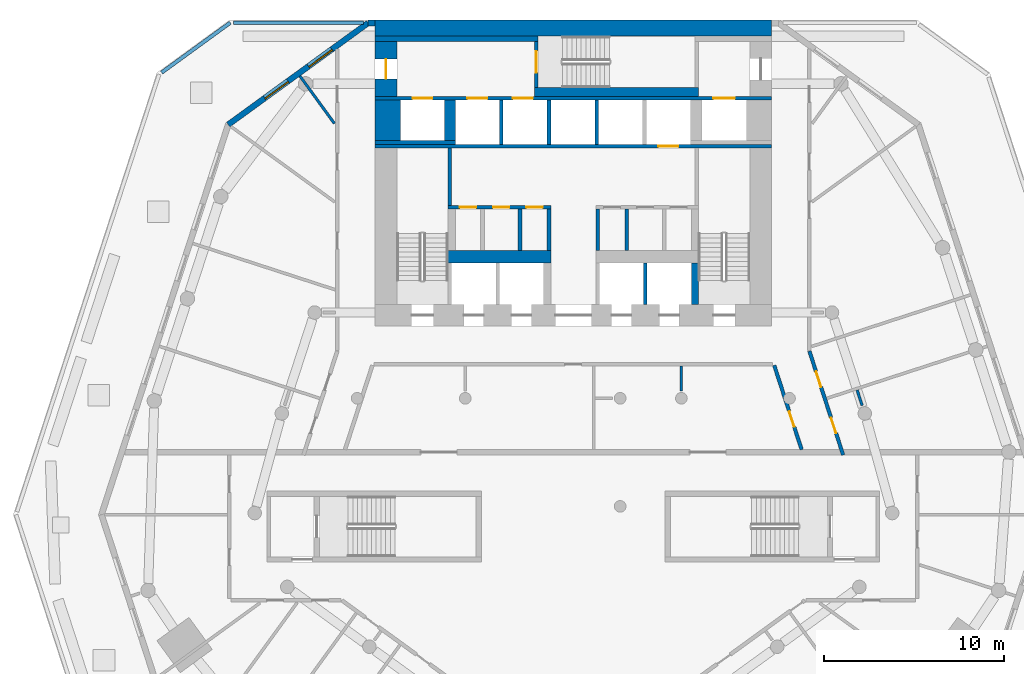
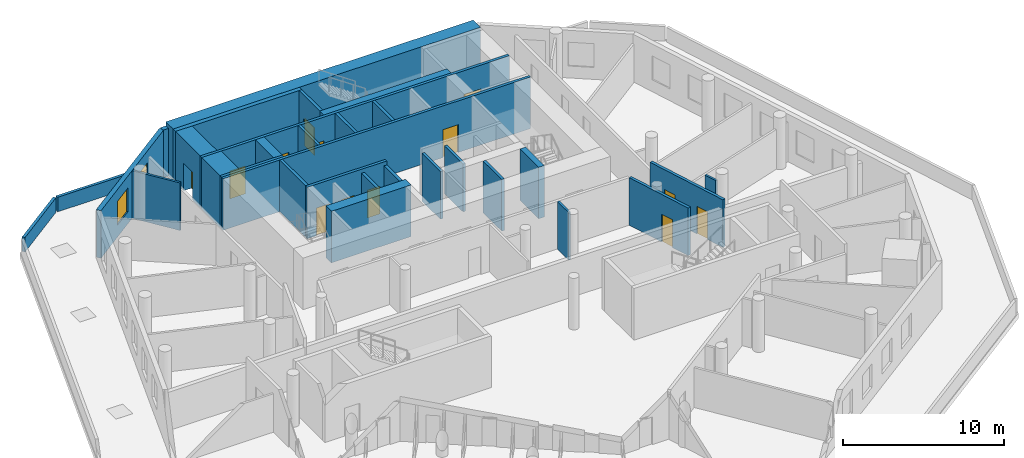
# One storey, part 6 of 10: 31 walls, 13 doors, 2 windows, 15 openings.
"""IFC4 building model written with IfcOpenShell, lengths in metres."""

from ifc_helpers import new_model, si_unit, direction, frame, frame_2d, origin, place, context, subcontext, project, spatial, rectangle, extrude, material, layer, layer_set, type_object, element, fill, save


model = new_model("IFC4")

# Units and contexts
model_context = context("Model", 3, precision=1e-05, world=origin(), true_north=direction((0.0, 1.0)))
body_context = subcontext(model_context, "Body", "Model", "MODEL_VIEW")
ifc_project = project(units=[si_unit("LENGTHUNIT", "METRE"), si_unit("AREAUNIT", "SQUARE_METRE"), si_unit("VOLUMEUNIT", "CUBIC_METRE"), si_unit("PLANEANGLEUNIT", "RADIAN"), si_unit("MASSUNIT", "GRAM", prefix="KILO")], contexts=[model_context])

# Site, building, storey
site_placement = place(None, origin())
site = spatial("IfcSite", under=ifc_project, at=site_placement, CompositionType="ELEMENT")
building_placement = place(site_placement, origin())
building = spatial("IfcBuilding", under=site, at=building_placement, Name="White Candle Pilgrim Tower", CompositionType="ELEMENT")
storey_placement = place(building_placement, frame((0.0, 0.0, 39.0)))
storey = spatial("IfcBuildingStorey", under=building, at=storey_placement, Name="L06", CompositionType="ELEMENT", Elevation=39.0)

# Wall, opening, door
ifc_material_1 = material(Name="Concrete C70/85", Category="concrete")
ifc_layer_1 = layer(ifc_material_1, 1.199951171875)
ifc_layer_set_1 = layer_set([ifc_layer_1], Name="Core wall 1200 mm Concrete C70/85")
wall_type_1 = type_object("IfcWallType", Name="Core wall 1200 mm Concrete C70/85", PredefinedType="SHEAR", material=ifc_layer_set_1)
wall_1_placement = place(storey_placement, frame((59.60009765625, 83.75, 0.0), z_axis=(0.0, 0.0, 1.0), x_axis=(0.0, 1.0, 0.0)))
wall_1 = element("IfcWall", 1, at=wall_1_placement, inside=storey, type_object=wall_type_1, Name="WL-L06-C46", PredefinedType="SHEAR", context=body_context, shape_type="SweptSolid", body=[
    extrude(rectangle(XDim=3.050048828125, YDim=1.199951171875, at=frame_2d((1.52490234375, 0.0))), origin(), (0.0, 0.0, 1.0), 3.89990234375),
])
opening_1_placement = place(wall_1_placement, frame((0.97509765625, 0.0, 0.0)))
opening_1 = element("IfcOpeningElement", 2, at=opening_1_placement, cuts=wall_1, Name="Opening T01-005", PredefinedType="OPENING", context=body_context, shape_type="SweptSolid", body=[
    extrude(rectangle(XDim=1.10009765625, YDim=2.10009765625, at=frame_2d((0.550048828125, 1.050048828125))), frame((0.0, 0.60986328125, 0.0), z_axis=(0.0, -1.0, 0.0), x_axis=(1.0, 0.0, 0.0)), (0.0, 0.0, 1.0), 1.219970703125),
])
ifc_material_2 = material(Name="Steel door leaf", Category="steel")
door_type_1 = type_object("IfcDoorType", Name="Fire door 1100 x 2100 EI 60", OperationType="NOTDEFINED", PredefinedType="DOOR", material=ifc_material_2)
door_1_placement = place(opening_1_placement, origin())
door_1 = element("IfcDoor", 3, at=door_1_placement, inside=storey, type_object=door_type_1, Name="Door T01-005", OperationType="SINGLE_SWING_LEFT", OverallHeight=2.10009765625, OverallWidth=1.10009765625, PredefinedType="DOOR", context=body_context, shape_type="SweptSolid", body=[
    extrude(rectangle(XDim=1.10009765625, YDim=2.10009765625, at=frame_2d((0.550048828125, 1.050048828125))), frame((0.0, 0.02490234375, 0.0), z_axis=(0.0, -1.0, 0.0), x_axis=(1.0, 0.0, 0.0)), (0.0, 0.0, 1.0), 0.050048828125),
])
fill(opening_1, door_1)

# Walls
ifc_layer_2 = layer(ifc_material_1, 1.39990234375)
ifc_layer_set_2 = layer_set([ifc_layer_2], Name="Core wall 1400 mm Concrete C70/85")
wall_type_2 = type_object("IfcWallType", Name="Core wall 1400 mm Concrete C70/85", PredefinedType="SHEAR", material=ifc_layer_set_2)
wall_2_placement = place(storey_placement, frame((59.699951171875, 81.300048828125, 0.0), z_axis=(0.0, 0.0, 1.0), x_axis=(0.0, 1.0, 0.0)))
element("IfcWall", 4, at=wall_2_placement, inside=storey, type_object=wall_type_2, Name="WL-L06-C41", PredefinedType="SHEAR", context=body_context, shape_type="SweptSolid", body=[
    extrude(rectangle(XDim=2.25, YDim=1.39990234375, at=frame_2d((1.125, 0.0))), origin(), (0.0, 0.0, 1.0), 3.89990234375),
])
ifc_layer_3 = layer(ifc_material_1, 0.199951171875)
ifc_layer_set_3 = layer_set([ifc_layer_3], Name="Core wall 200 mm Concrete C70/85")
wall_type_3 = type_object("IfcWallType", Name="Core wall 200 mm Concrete C70/85", PredefinedType="SHEAR", material=ifc_layer_set_3)
wall_3_placement = place(storey_placement, frame((59.0, 81.199951171875, 0.0), z_axis=(0.0, 0.0, 1.0), x_axis=(1.0, 0.0, 0.0)))
element("IfcWall", 5, at=wall_3_placement, inside=storey, type_object=wall_type_3, Name="WL-L06-C35", PredefinedType="SHEAR", context=body_context, shape_type="SweptSolid", body=[
    extrude(rectangle(XDim=4.449951171875, YDim=0.199951171875, at=frame_2d((2.22509765625, 0.0))), origin(), (0.0, 0.0, 1.0), 3.89990234375),
])

# Wall, openings, doors
wall_4_placement = place(storey_placement, frame((59.0, 83.64990234375, 0.0), z_axis=(0.0, 0.0, 1.0), x_axis=(1.0, 0.0, 0.0)))
wall_4 = element("IfcWall", 6, at=wall_4_placement, inside=storey, type_object=wall_type_3, Name="WL-L06-C45", PredefinedType="SHEAR", context=body_context, shape_type="SweptSolid", body=[
    extrude(rectangle(XDim=22.0, YDim=0.199951171875, at=frame_2d((11.0, 0.0))), origin(), (0.0, 0.0, 1.0), 3.89990234375),
])
opening_2_placement = place(wall_4_placement, frame((5.125, 0.0, 0.0)))
opening_2 = element("IfcOpeningElement", 7, at=opening_2_placement, cuts=wall_4, Name="Opening T01-011", PredefinedType="OPENING", context=body_context, shape_type="SweptSolid", body=[
    extrude(rectangle(XDim=1.10009765625, YDim=2.10009765625, at=frame_2d((0.550048828125, 1.050048828125))), frame((0.0, 0.10986328125, 0.0), z_axis=(0.0, -1.0, 0.0), x_axis=(1.0, 0.0, 0.0)), (0.0, 0.0, 1.0), 0.219970703125),
])
opening_3_placement = place(wall_4_placement, frame((7.64990234375, 0.0, 0.0)))
opening_3 = element("IfcOpeningElement", 8, at=opening_3_placement, cuts=wall_4, Name="Opening T01-012", PredefinedType="OPENING", context=body_context, shape_type="SweptSolid", body=[
    extrude(rectangle(XDim=1.10009765625, YDim=2.10009765625, at=frame_2d((0.550048828125, 1.050048828125))), frame((0.0, 0.10986328125, 0.0), z_axis=(0.0, -1.0, 0.0), x_axis=(1.0, 0.0, 0.0)), (0.0, 0.0, 1.0), 0.219970703125),
])
opening_4_placement = place(wall_4_placement, frame((18.77490234375, 0.0, 0.0)))
opening_4 = element("IfcOpeningElement", 9, at=opening_4_placement, cuts=wall_4, Name="Opening T01-018", PredefinedType="OPENING", context=body_context, shape_type="SweptSolid", body=[
    extrude(rectangle(XDim=1.199951171875, YDim=2.10009765625, at=frame_2d((0.60009765625, 1.050048828125))), frame((0.0, 0.10986328125, 0.0), z_axis=(0.0, -1.0, 0.0), x_axis=(1.0, 0.0, 0.0)), (0.0, 0.0, 1.0), 0.219970703125),
])
opening_5_placement = place(wall_4_placement, frame((2.074951171875, 0.0, 0.0)))
opening_5 = element("IfcOpeningElement", 10, at=opening_5_placement, cuts=wall_4, Name="Opening T01-019", PredefinedType="OPENING", context=body_context, shape_type="SweptSolid", body=[
    extrude(rectangle(XDim=1.10009765625, YDim=2.10009765625, at=frame_2d((0.550048828125, 1.050048828125))), frame((0.0, 0.10986328125, 0.0), z_axis=(0.0, -1.0, 0.0), x_axis=(1.0, 0.0, 0.0)), (0.0, 0.0, 1.0), 0.219970703125),
])
ifc_material_3 = material(Name="Stainless steel", Category="steel")
door_type_2 = type_object("IfcDoorType", Name="Lift landing door 1100 x 2100 EI 60", OperationType="DOUBLE_DOOR_SLIDING", PredefinedType="DOOR", material=ifc_material_3)
door_2_placement = place(opening_2_placement, origin())
door_2 = element("IfcDoor", 11, at=door_2_placement, inside=storey, type_object=door_type_2, Name="Door T01-011", OperationType="DOUBLE_DOOR_SLIDING", OverallHeight=2.10009765625, OverallWidth=1.10009765625, PredefinedType="DOOR", context=body_context, shape_type="SweptSolid", body=[
    extrude(rectangle(XDim=1.10009765625, YDim=2.10009765625, at=frame_2d((0.550048828125, 1.050048828125))), frame((0.0, 0.02490234375, 0.0), z_axis=(0.0, -1.0, 0.0), x_axis=(1.0, 0.0, 0.0)), (0.0, 0.0, 1.0), 0.050048828125),
])
fill(opening_2, door_2)
door_3_placement = place(opening_3_placement, origin())
door_3 = element("IfcDoor", 12, at=door_3_placement, inside=storey, type_object=door_type_2, Name="Door T01-012", OperationType="DOUBLE_DOOR_SLIDING", OverallHeight=2.10009765625, OverallWidth=1.10009765625, PredefinedType="DOOR", context=body_context, shape_type="SweptSolid", body=[
    extrude(rectangle(XDim=1.10009765625, YDim=2.10009765625, at=frame_2d((0.550048828125, 1.050048828125))), frame((0.0, 0.02490234375, 0.0), z_axis=(0.0, -1.0, 0.0), x_axis=(1.0, 0.0, 0.0)), (0.0, 0.0, 1.0), 0.050048828125),
])
fill(opening_3, door_3)
door_4_placement = place(opening_5_placement, origin())
door_4 = element("IfcDoor", 13, at=door_4_placement, inside=storey, type_object=door_type_2, Name="Door T01-019", OperationType="DOUBLE_DOOR_SLIDING", OverallHeight=2.10009765625, OverallWidth=1.10009765625, PredefinedType="DOOR", context=body_context, shape_type="SweptSolid", body=[
    extrude(rectangle(XDim=1.10009765625, YDim=2.10009765625, at=frame_2d((0.550048828125, 1.050048828125))), frame((0.0, 0.02490234375, 0.0), z_axis=(0.0, -1.0, 0.0), x_axis=(1.0, 0.0, 0.0)), (0.0, 0.0, 1.0), 0.050048828125),
])
fill(opening_5, door_4)
door_type_3 = type_object("IfcDoorType", Name="Lift landing door 1200 x 2100 E 60", OperationType="DOUBLE_DOOR_SLIDING", PredefinedType="DOOR", material=ifc_material_3)
door_5_placement = place(opening_4_placement, origin())
door_5 = element("IfcDoor", 14, at=door_5_placement, inside=storey, type_object=door_type_3, Name="Door T01-018", OperationType="DOUBLE_DOOR_SLIDING", OverallHeight=2.10009765625, OverallWidth=1.199951171875, PredefinedType="DOOR", context=body_context, shape_type="SweptSolid", body=[
    extrude(rectangle(XDim=1.199951171875, YDim=2.10009765625, at=frame_2d((0.60009765625, 1.050048828125))), frame((0.0, 0.02490234375, 0.0), z_axis=(0.0, -1.0, 0.0), x_axis=(1.0, 0.0, 0.0)), (0.0, 0.0, 1.0), 0.050048828125),
])
fill(opening_4, door_5)

ifc_material_4 = material(Name="Gypsum board on steel studs", Category="steel")
ifc_layer_4 = layer(ifc_material_4, 0.199951171875)
ifc_layer_set_4 = layer_set([ifc_layer_4], Name="Corridor wall 200 mm EI 45")
wall_type_4 = type_object("IfcWallType", Name="Corridor wall 200 mm EI 45", PredefinedType="PARTITIONING", material=ifc_layer_set_4)
wall_5_placement = place(storey_placement, frame((83.10498046875, 69.619384765625, 0.0), z_axis=(0.0, 0.0, 1.0), x_axis=(0.309010538589, -0.951058613883, 0.0)))
wall_5 = element("IfcWall", 15, at=wall_5_placement, inside=storey, type_object=wall_type_4, Name="WL-L06-P005", PredefinedType="PARTITIONING", context=body_context, shape_type="SweptSolid", body=[
    extrude(rectangle(XDim=6.066162109375, YDim=0.199951171875, at=frame_2d((3.033203125, 0.0))), origin(), (0.0, 0.0, 1.0), 3.60009765625),
])
opening_6_placement = place(wall_5_placement, frame((1.19287109375, 0.0, 0.0)))
opening_6 = element("IfcOpeningElement", 16, at=opening_6_placement, cuts=wall_5, Name="Opening T01-125", PredefinedType="OPENING", context=body_context, shape_type="SweptSolid", body=[
    extrude(rectangle(XDim=0.89990234375, YDim=2.10009765625, at=frame_2d((0.449951171875, 1.050048828125))), frame((0.0, 0.10986328125, 0.0), z_axis=(0.0, -1.0, 0.0), x_axis=(1.0, 0.0, 0.0)), (0.0, 0.0, 1.0), 0.219970703125),
])
opening_7_placement = place(wall_5_placement, frame((3.890380859375, 0.0, 0.0)))
opening_7 = element("IfcOpeningElement", 17, at=opening_7_placement, cuts=wall_5, Name="Opening T01-126", PredefinedType="OPENING", context=body_context, shape_type="SweptSolid", body=[
    extrude(rectangle(XDim=0.89990234375, YDim=2.10009765625, at=frame_2d((0.449951171875, 1.050048828125))), frame((0.0, 0.10986328125, 0.0), z_axis=(0.0, -1.0, 0.0), x_axis=(1.0, 0.0, 0.0)), (0.0, 0.0, 1.0), 0.219970703125),
])
door_type_4 = type_object("IfcDoorType", Name="Fire door 900 x 2100 EI 30", OperationType="NOTDEFINED", PredefinedType="DOOR", material=ifc_material_2)
door_6_placement = place(opening_6_placement, origin())
door_6 = element("IfcDoor", 18, at=door_6_placement, inside=storey, type_object=door_type_4, Name="Door T01-125", OperationType="SINGLE_SWING_LEFT", OverallHeight=2.10009765625, OverallWidth=0.89990234375, PredefinedType="DOOR", context=body_context, shape_type="SweptSolid", body=[
    extrude(rectangle(XDim=0.89990234375, YDim=2.10009765625, at=frame_2d((0.449951171875, 1.050048828125))), frame((0.0, 0.02490234375, 0.0), z_axis=(0.0, -1.0, 0.0), x_axis=(1.0, 0.0, 0.0)), (0.0, 0.0, 1.0), 0.050048828125),
])
fill(opening_6, door_6)
door_7_placement = place(opening_7_placement, origin())
door_7 = element("IfcDoor", 19, at=door_7_placement, inside=storey, type_object=door_type_4, Name="Door T01-126", OperationType="SINGLE_SWING_RIGHT", OverallHeight=2.10009765625, OverallWidth=0.89990234375, PredefinedType="DOOR", context=body_context, shape_type="SweptSolid", body=[
    extrude(rectangle(XDim=0.89990234375, YDim=2.10009765625, at=frame_2d((0.449951171875, 1.050048828125))), frame((0.0, 0.02490234375, 0.0), z_axis=(0.0, -1.0, 0.0), x_axis=(1.0, 0.0, 0.0)), (0.0, 0.0, 1.0), 0.050048828125),
])
fill(opening_7, door_7)

# Wall, opening, door
wall_6_placement = place(storey_placement, frame((82.674072265625, 64.14990234375, 0.0), z_axis=(0.0, 0.0, 1.0), x_axis=(-0.309031112369, 0.951051928965, 0.0)))
wall_6 = element("IfcWall", 20, at=wall_6_placement, inside=storey, type_object=wall_type_4, Name="WL-L06-P015", PredefinedType="PARTITIONING", context=body_context, shape_type="SweptSolid", body=[
    extrude(rectangle(XDim=4.921875, YDim=0.199951171875, at=frame_2d((2.4609375, 0.0))), origin(), (0.0, 0.0, 1.0), 3.60009765625),
])
opening_8_placement = place(wall_6_placement, frame((1.331298828125, 0.0, 0.0)))
opening_8 = element("IfcOpeningElement", 21, at=opening_8_placement, cuts=wall_6, Name="Opening T01-128", PredefinedType="OPENING", context=body_context, shape_type="SweptSolid", body=[
    extrude(rectangle(XDim=0.89990234375, YDim=2.10009765625, at=frame_2d((0.449951171875, 1.050048828125))), frame((0.0, 0.10986328125, 0.0), z_axis=(0.0, -1.0, 0.0), x_axis=(1.0, 0.0, 0.0)), (0.0, 0.0, 1.0), 0.219970703125),
])
door_8_placement = place(opening_8_placement, origin())
door_8 = element("IfcDoor", 22, at=door_8_placement, inside=storey, type_object=door_type_4, Name="Door T01-128", OperationType="SINGLE_SWING_RIGHT", OverallHeight=2.10009765625, OverallWidth=0.89990234375, PredefinedType="DOOR", context=body_context, shape_type="SweptSolid", body=[
    extrude(rectangle(XDim=0.89990234375, YDim=2.10009765625, at=frame_2d((0.449951171875, 1.050048828125))), frame((0.0, 0.02490234375, 0.0), z_axis=(0.0, -1.0, 0.0), x_axis=(1.0, 0.0, 0.0)), (0.0, 0.0, 1.0), 0.050048828125),
])
fill(opening_8, door_8)

# Wall
ifc_material_5 = material(Name="Precast concrete C40/50", Category="concrete")
ifc_layer_5 = layer(ifc_material_5, 0.320068359375)
ifc_layer_set_5 = layer_set([ifc_layer_5], Name="Facade wall EW1 precast concrete C40/50 pier wall with timber-lined reveals")
wall_type_5 = type_object("IfcWallType", Name="Facade wall EW1 precast concrete C40/50 pier wall with timber-lined reveals", PredefinedType="SOLIDWALL", material=ifc_layer_set_5)
wall_7_placement = place(storey_placement, frame((59.0, 87.840087890625, 0.0), z_axis=(0.0, 0.0, 1.0), x_axis=(-1.0, 0.0, 0.0)))
element("IfcWall", 23, at=wall_7_placement, inside=storey, type_object=wall_type_5, Name="Facade wall L06 N", PredefinedType="SOLIDWALL", context=body_context, shape_type="SweptSolid", body=[
    extrude(rectangle(XDim=0.385009765625, YDim=0.320068359375, at=frame_2d((0.1923828125, 0.0))), origin(), (0.0, 0.0, 1.0), 3.60009765625),
])

# Wall, openings, windows
wall_8_placement = place(storey_placement, frame((58.614990234375, 87.840087890625, 0.0), z_axis=(0.0, 0.0, 1.0), x_axis=(-0.809016299274, -0.587786209015, 0.0)))
wall_8 = element("IfcWall", 24, at=wall_8_placement, inside=storey, type_object=wall_type_5, Name="Facade wall L06 NW chamfer", PredefinedType="SOLIDWALL", context=body_context, shape_type="SweptSolid", body=[
    extrude(rectangle(XDim=9.604248046875, YDim=0.320068359375, at=frame_2d((4.80224609375, 0.0))), origin(), (0.0, 0.0, 1.0), 3.60009765625),
])
opening_9_placement = place(wall_8_placement, frame((2.502197265625, 0.0, 0.89990234375)))
opening_9 = element("IfcOpeningElement", 25, at=opening_9_placement, cuts=wall_8, Name="Opening W2", PredefinedType="OPENING", context=body_context, shape_type="SweptSolid", body=[
    extrude(rectangle(XDim=1.60009765625, YDim=1.800048828125, at=frame_2d((0.800048828125, 0.89990234375))), frame((0.0, 0.169921875, 0.0), z_axis=(0.0, -1.0, 0.0), x_axis=(1.0, 0.0, 0.0)), (0.0, 0.0, 1.0), 0.340087890625),
])
opening_10_placement = place(wall_8_placement, frame((5.502197265625, 0.0, 0.89990234375)))
opening_10 = element("IfcOpeningElement", 26, at=opening_10_placement, cuts=wall_8, Name="Opening W2", PredefinedType="OPENING", context=body_context, shape_type="SweptSolid", body=[
    extrude(rectangle(XDim=1.60009765625, YDim=1.800048828125, at=frame_2d((0.800048828125, 0.89990234375))), frame((0.0, 0.169921875, 0.0), z_axis=(0.0, -1.0, 0.0), x_axis=(1.0, 0.0, 0.0)), (0.0, 0.0, 1.0), 0.340087890625),
])
ifc_material_6 = material(Name="Timber frame with triple glazing", Category="wood")
window_type = type_object("IfcWindowType", Name="Window W2 1600x1800 timber frame triple glazing", PartitioningType="SINGLE_PANEL", PredefinedType="WINDOW", material=ifc_material_6)
window_1_placement = place(opening_9_placement, origin())
window_1 = element("IfcWindow", 27, at=window_1_placement, inside=storey, type_object=window_type, Name="Window W2 L06 NW chamfer 1", OverallHeight=1.800048828125, OverallWidth=1.60009765625, PartitioningType="SINGLE_PANEL", PredefinedType="WINDOW", context=body_context, shape_type="SweptSolid", body=[
    extrude(rectangle(XDim=1.60009765625, YDim=1.800048828125, at=frame_2d((0.800048828125, 0.89990234375))), frame((0.0, 0.070068359375, 0.0), z_axis=(0.0, -1.0, 0.0), x_axis=(1.0, 0.0, 0.0)), (0.0, 0.0, 1.0), 0.06005859375),
])
fill(opening_9, window_1)
window_2_placement = place(opening_10_placement, origin())
window_2 = element("IfcWindow", 28, at=window_2_placement, inside=storey, type_object=window_type, Name="Window W2 L06 NW chamfer 2", OverallHeight=1.800048828125, OverallWidth=1.60009765625, PartitioningType="SINGLE_PANEL", PredefinedType="WINDOW", context=body_context, shape_type="SweptSolid", body=[
    extrude(rectangle(XDim=1.60009765625, YDim=1.800048828125, at=frame_2d((0.800048828125, 0.89990234375))), frame((0.0, 0.070068359375, 0.0), z_axis=(0.0, -1.0, 0.0), x_axis=(1.0, 0.0, 0.0)), (0.0, 0.0, 1.0), 0.06005859375),
])
fill(opening_10, window_2)

# Walls
ifc_layer_6 = layer(ifc_material_4, 0.199951171875)
ifc_layer_set_6 = layer_set([ifc_layer_6], Name="Lobby wall 200 mm EI 60")
wall_type_6 = type_object("IfcWallType", Name="Lobby wall 200 mm EI 60", PredefinedType="PARTITIONING", material=ifc_layer_set_6)
for number, where, z_axis, x_axis, name in (
    (29, (67.0400390625, 75.199951171875, 0.0), (0.0, 0.0, 1.0), (0.0, 1.0, 0.0), "WL-L06-C24"),
    (30, (68.64990234375, 75.199951171875, 0.0), (0.0, 0.0, 1.0), (0.0, 1.0, 0.0), "WL-L06-C25"),
    (31, (71.35009765625, 75.199951171875, 0.0), (0.0, 0.0, 1.0), (0.0, 1.0, 0.0), "WL-L06-C26"),
    (32, (72.9599609375, 75.199951171875, 0.0), (0.0, 0.0, 1.0), (0.0, 1.0, 0.0), "WL-L06-C27"),
):
    element("IfcWall", number, at=place(storey_placement, frame(where, z_axis=z_axis, x_axis=x_axis)), inside=storey, type_object=wall_type_6, Name=name, PredefinedType="PARTITIONING", context=body_context, shape_type="SweptSolid", body=[
        extrude(rectangle(XDim=2.300048828125, YDim=0.199951171875, at=frame_2d((1.14990234375, 0.0))), origin(), (0.0, 0.0, 1.0), 3.60009765625),
    ])
ifc_layer_7 = layer(ifc_material_4, 0.14990234375)
ifc_layer_set_7 = layer_set([ifc_layer_7], Name="Partition 150 mm EI 60")
wall_type_7 = type_object("IfcWallType", Name="Partition 150 mm EI 60", PredefinedType="PARTITIONING", material=ifc_layer_set_7)
wall_9_placement = place(storey_placement, frame((54.823974609375, 84.887939453125, 0.0), z_axis=(0.0, 0.0, 1.0), x_axis=(0.587775139739, -0.809024341479, 0.0)))
element("IfcWall", 33, at=wall_9_placement, inside=storey, type_object=wall_type_7, Name="WL-L06-P024", PredefinedType="PARTITIONING", context=body_context, shape_type="SweptSolid", body=[
    extrude(rectangle(XDim=3.258544921875, YDim=0.14990234375, at=frame_2d((1.62939453125, 0.0))), origin(), (0.0, 0.0, 1.0), 3.60009765625),
])
wall_10_placement = place(storey_placement, frame((86.032958984375, 66.60107421875, 0.0), z_axis=(0.0, 0.0, 1.0), x_axis=(-0.308939772629, 0.951081603695, 0.0)))
element("IfcWall", 34, at=wall_10_placement, inside=storey, type_object=wall_type_7, Name="WL-L06-P046", PredefinedType="PARTITIONING", context=body_context, shape_type="SweptSolid", body=[
    extrude(rectangle(XDim=0.905517578125, YDim=0.14990234375, at=frame_2d((0.45263671875, 0.0))), origin(), (0.0, 0.0, 1.0), 3.0),
])
wall_11_placement = place(storey_placement, frame((75.997802734375, 67.4150390625, 0.0), z_axis=(0.0, 0.0, 1.0), x_axis=(0.0, 1.0, 0.0)))
element("IfcWall", 35, at=wall_11_placement, inside=storey, type_object=wall_type_7, Name="WL-L06-P052", PredefinedType="PARTITIONING", context=body_context, shape_type="SweptSolid", body=[
    extrude(rectangle(XDim=1.385009765625, YDim=0.14990234375, at=frame_2d((0.6923828125, 0.0))), origin(), (0.0, 0.0, 1.0), 3.60009765625),
])
ifc_layer_8 = layer(ifc_material_5, 0.199951171875)
ifc_layer_set_8 = layer_set([ifc_layer_8], Name="Roof parapet EW5 precast concrete C40/50 200")
wall_type_8 = type_object("IfcWallType", Name="Roof parapet EW5 precast concrete C40/50 200", PredefinedType="SOLIDWALL", material=ifc_layer_set_8)
wall_12_placement = place(storey_placement, frame((47.146240234375, 85.08203125, 0.0), z_axis=(0.0, 0.0, 1.0), x_axis=(0.808991590486, 0.587820216158, 0.0)))
element("IfcWall", 36, at=wall_12_placement, inside=storey, type_object=wall_type_8, Name="Roof parapet L05", PredefinedType="SOLIDWALL", context=body_context, shape_type="SweptSolid", body=[
    extrude(rectangle(XDim=4.708984375, YDim=0.199951171875, at=frame_2d((2.3544921875, 0.0))), origin(), (0.0, 0.0, 1.0), 1.10009765625),
])
wall_13_placement = place(storey_placement, frame((51.1259765625, 87.85009765625, 0.0), z_axis=(0.0, 0.0, 1.0), x_axis=(1.0, 0.0, 0.0)))
element("IfcWall", 37, at=wall_13_placement, inside=storey, type_object=wall_type_8, Name="Roof parapet L05", PredefinedType="SOLIDWALL", context=body_context, shape_type="SweptSolid", body=[
    extrude(rectangle(XDim=7.23046875, YDim=0.199951171875, at=frame_2d((3.615234375, 0.0))), origin(), (0.0, 0.0, 1.0), 1.10009765625),
])
ifc_layer_9 = layer(ifc_material_1, 0.199951171875)
ifc_layer_set_9 = layer_set([ifc_layer_9], Name="Shaft wall 200 mm Concrete C70/85")
wall_type_9 = type_object("IfcWallType", Name="Shaft wall 200 mm Concrete C70/85", PredefinedType="SHEAR", material=ifc_layer_set_9)
wall_14_placement = place(storey_placement, frame((74.0, 72.199951171875, 0.0), z_axis=(0.0, 0.0, 1.0), x_axis=(0.0, 1.0, 0.0)))
element("IfcWall", 38, at=wall_14_placement, inside=storey, type_object=wall_type_9, Name="WL-L06-C17", PredefinedType="SHEAR", context=body_context, shape_type="SweptSolid", body=[
    extrude(rectangle(XDim=2.300048828125, YDim=0.199951171875, at=frame_2d((1.14990234375, 0.0))), origin(), (0.0, 0.0, 1.0), 3.89990234375),
])
for number, where, z_axis, x_axis, name in (
    (39, (66.0, 81.10009765625, 0.0), (0.0, 0.0, 1.0), (0.0, 1.0, 0.0), "WL-L06-C36"),
    (40, (68.64990234375, 81.10009765625, 0.0), (0.0, 0.0, 1.0), (0.0, 1.0, 0.0), "WL-L06-C37"),
    (41, (71.300048828125, 81.10009765625, 0.0), (0.0, 0.0, 1.0), (0.0, 1.0, 0.0), "WL-L06-C38"),
):
    element("IfcWall", number, at=place(storey_placement, frame(where, z_axis=z_axis, x_axis=x_axis)), inside=storey, type_object=wall_type_9, Name=name, PredefinedType="SHEAR", context=body_context, shape_type="SweptSolid", body=[
        extrude(rectangle(XDim=2.449951171875, YDim=0.199951171875, at=frame_2d((1.22509765625, 0.0))), origin(), (0.0, 0.0, 1.0), 3.89990234375),
    ])
ifc_layer_10 = layer(ifc_material_1, 0.60009765625)
ifc_layer_set_10 = layer_set([ifc_layer_10], Name="Shaft wall 600 mm Concrete C70/85")
wall_type_10 = type_object("IfcWallType", Name="Shaft wall 600 mm Concrete C70/85", PredefinedType="SHEAR", material=ifc_layer_set_10)
wall_15_placement = place(storey_placement, frame((63.14990234375, 81.300048828125, 0.0), z_axis=(0.0, 0.0, 1.0), x_axis=(0.0, 1.0, 0.0)))
element("IfcWall", 42, at=wall_15_placement, inside=storey, type_object=wall_type_10, Name="WL-L06-C42", PredefinedType="SHEAR", context=body_context, shape_type="SweptSolid", body=[
    extrude(rectangle(XDim=2.25, YDim=0.60009765625, at=frame_2d((1.125, 0.0))), origin(), (0.0, 0.0, 1.0), 3.89990234375),
])

# Wall, openings, doors
ifc_layer_11 = layer(ifc_material_1, 0.199951171875)
ifc_layer_set_11 = layer_set([ifc_layer_11], Name="Stair shaft wall 200 mm Concrete C70/85")
wall_type_11 = type_object("IfcWallType", Name="Stair shaft wall 200 mm Concrete C70/85", PredefinedType="SHEAR", material=ifc_layer_set_11)
wall_16_placement = place(storey_placement, frame((63.050048828125, 77.60009765625, 0.0), z_axis=(0.0, 0.0, 1.0), x_axis=(1.0, 0.0, 0.0)))
wall_16 = element("IfcWall", 43, at=wall_16_placement, inside=storey, type_object=wall_type_11, Name="WL-L06-C30", PredefinedType="SHEAR", context=body_context, shape_type="SweptSolid", body=[
    extrude(rectangle(XDim=5.699951171875, YDim=0.199951171875, at=frame_2d((2.85009765625, 0.0))), origin(), (0.0, 0.0, 1.0), 3.89990234375),
])
opening_11_placement = place(wall_16_placement, frame((0.655029296875, 0.0, 0.0)))
opening_11 = element("IfcOpeningElement", 44, at=opening_11_placement, cuts=wall_16, Name="Opening T01-020", PredefinedType="OPENING", context=body_context, shape_type="SweptSolid", body=[
    extrude(rectangle(XDim=0.89990234375, YDim=2.10009765625, at=frame_2d((0.449951171875, 1.050048828125))), frame((0.0, 0.10986328125, 0.0), z_axis=(0.0, -1.0, 0.0), x_axis=(1.0, 0.0, 0.0)), (0.0, 0.0, 1.0), 0.219970703125),
])
opening_12_placement = place(wall_16_placement, frame((2.5, 0.0, 0.0)))
opening_12 = element("IfcOpeningElement", 45, at=opening_12_placement, cuts=wall_16, Name="Opening T01-021", PredefinedType="OPENING", context=body_context, shape_type="SweptSolid", body=[
    extrude(rectangle(XDim=0.89990234375, YDim=2.10009765625, at=frame_2d((0.449951171875, 1.050048828125))), frame((0.0, 0.10986328125, 0.0), z_axis=(0.0, -1.0, 0.0), x_axis=(1.0, 0.0, 0.0)), (0.0, 0.0, 1.0), 0.219970703125),
])
opening_13_placement = place(wall_16_placement, frame((4.344970703125, 0.0, 0.0)))
opening_13 = element("IfcOpeningElement", 46, at=opening_13_placement, cuts=wall_16, Name="Opening T01-022", PredefinedType="OPENING", context=body_context, shape_type="SweptSolid", body=[
    extrude(rectangle(XDim=0.89990234375, YDim=2.10009765625, at=frame_2d((0.449951171875, 1.050048828125))), frame((0.0, 0.10986328125, 0.0), z_axis=(0.0, -1.0, 0.0), x_axis=(1.0, 0.0, 0.0)), (0.0, 0.0, 1.0), 0.219970703125),
])
door_9_placement = place(opening_11_placement, origin())
door_9 = element("IfcDoor", 47, at=door_9_placement, inside=storey, type_object=door_type_4, Name="Door T01-020", OperationType="SINGLE_SWING_RIGHT", OverallHeight=2.10009765625, OverallWidth=0.89990234375, PredefinedType="DOOR", context=body_context, shape_type="SweptSolid", body=[
    extrude(rectangle(XDim=0.89990234375, YDim=2.10009765625, at=frame_2d((0.449951171875, 1.050048828125))), frame((0.0, 0.02490234375, 0.0), z_axis=(0.0, -1.0, 0.0), x_axis=(1.0, 0.0, 0.0)), (0.0, 0.0, 1.0), 0.050048828125),
])
fill(opening_11, door_9)
door_10_placement = place(opening_12_placement, origin())
door_10 = element("IfcDoor", 48, at=door_10_placement, inside=storey, type_object=door_type_4, Name="Door T01-021", OperationType="SINGLE_SWING_LEFT", OverallHeight=2.10009765625, OverallWidth=0.89990234375, PredefinedType="DOOR", context=body_context, shape_type="SweptSolid", body=[
    extrude(rectangle(XDim=0.89990234375, YDim=2.10009765625, at=frame_2d((0.449951171875, 1.050048828125))), frame((0.0, 0.02490234375, 0.0), z_axis=(0.0, -1.0, 0.0), x_axis=(1.0, 0.0, 0.0)), (0.0, 0.0, 1.0), 0.050048828125),
])
fill(opening_12, door_10)
door_11_placement = place(opening_13_placement, origin())
door_11 = element("IfcDoor", 49, at=door_11_placement, inside=storey, type_object=door_type_4, Name="Door T01-022", OperationType="SINGLE_SWING_RIGHT", OverallHeight=2.10009765625, OverallWidth=0.89990234375, PredefinedType="DOOR", context=body_context, shape_type="SweptSolid", body=[
    extrude(rectangle(XDim=0.89990234375, YDim=2.10009765625, at=frame_2d((0.449951171875, 1.050048828125))), frame((0.0, 0.02490234375, 0.0), z_axis=(0.0, -1.0, 0.0), x_axis=(1.0, 0.0, 0.0)), (0.0, 0.0, 1.0), 0.050048828125),
])
fill(opening_13, door_11)

# Wall
wall_17_placement = place(storey_placement, frame((63.14990234375, 77.699951171875, 0.0), z_axis=(0.0, 0.0, 1.0), x_axis=(0.0, 1.0, 0.0)))
element("IfcWall", 50, at=wall_17_placement, inside=storey, type_object=wall_type_11, Name="WL-L06-C32", PredefinedType="SHEAR", context=body_context, shape_type="SweptSolid", body=[
    extrude(rectangle(XDim=3.199951171875, YDim=0.199951171875, at=frame_2d((1.60009765625, 0.0))), origin(), (0.0, 0.0, 1.0), 3.89990234375),
])

# Wall, opening, door
wall_18_placement = place(storey_placement, frame((59.0, 81.0, 0.0), z_axis=(0.0, 0.0, 1.0), x_axis=(1.0, 0.0, 0.0)))
wall_18 = element("IfcWall", 51, at=wall_18_placement, inside=storey, type_object=wall_type_11, Name="WL-L06-C34", PredefinedType="SHEAR", context=body_context, shape_type="SweptSolid", body=[
    extrude(rectangle(XDim=22.0, YDim=0.199951171875, at=frame_2d((11.0, 0.0))), origin(), (0.0, 0.0, 1.0), 3.89990234375),
])
opening_14_placement = place(wall_18_placement, frame((15.72509765625, 0.0, 0.0)))
opening_14 = element("IfcOpeningElement", 52, at=opening_14_placement, cuts=wall_18, Name="Opening T01-013", PredefinedType="OPENING", context=body_context, shape_type="SweptSolid", body=[
    extrude(rectangle(XDim=1.10009765625, YDim=2.10009765625, at=frame_2d((0.550048828125, 1.050048828125))), frame((0.0, 0.10986328125, 0.0), z_axis=(0.0, -1.0, 0.0), x_axis=(1.0, 0.0, 0.0)), (0.0, 0.0, 1.0), 0.219970703125),
])
door_type_5 = type_object("IfcDoorType", Name="Lift landing door 1100 x 2100 E 60", OperationType="DOUBLE_DOOR_SLIDING", PredefinedType="DOOR", material=ifc_material_3)
door_12_placement = place(opening_14_placement, origin())
door_12 = element("IfcDoor", 53, at=door_12_placement, inside=storey, type_object=door_type_5, Name="Door T01-013", OperationType="DOUBLE_DOOR_SLIDING", OverallHeight=2.10009765625, OverallWidth=1.10009765625, PredefinedType="DOOR", context=body_context, shape_type="SweptSolid", body=[
    extrude(rectangle(XDim=1.10009765625, YDim=2.10009765625, at=frame_2d((0.550048828125, 1.050048828125))), frame((0.0, 0.02490234375, 0.0), z_axis=(0.0, -1.0, 0.0), x_axis=(1.0, 0.0, 0.0)), (0.0, 0.0, 1.0), 0.050048828125),
])
fill(opening_14, door_12)

wall_19_placement = place(storey_placement, frame((67.949951171875, 84.25, 0.0), z_axis=(0.0, 0.0, 1.0), x_axis=(0.0, 1.0, 0.0)))
wall_19 = element("IfcWall", 54, at=wall_19_placement, inside=storey, type_object=wall_type_11, Name="WL-L06-C49", PredefinedType="SHEAR", context=body_context, shape_type="SweptSolid", body=[
    extrude(rectangle(XDim=2.550048828125, YDim=0.199951171875, at=frame_2d((1.27490234375, 0.0))), origin(), (0.0, 0.0, 1.0), 3.89990234375),
])
opening_15_placement = place(wall_19_placement, frame((0.824951171875, 0.0, 0.0)))
opening_15 = element("IfcOpeningElement", 55, at=opening_15_placement, cuts=wall_19, Name="Opening T01-003", PredefinedType="OPENING", context=body_context, shape_type="SweptSolid", body=[
    extrude(rectangle(XDim=1.199951171875, YDim=2.10009765625, at=frame_2d((0.60009765625, 1.050048828125))), frame((0.0, 0.10986328125, 0.0), z_axis=(0.0, -1.0, 0.0), x_axis=(1.0, 0.0, 0.0)), (0.0, 0.0, 1.0), 0.219970703125),
])
door_type_6 = type_object("IfcDoorType", Name="Fire door 1200 x 2100 EI 60", OperationType="NOTDEFINED", PredefinedType="DOOR", material=ifc_material_2)
door_13_placement = place(opening_15_placement, frame((1.199951171875, 0.0, 0.0), z_axis=(0.0, 0.0, 1.0), x_axis=(-1.0, 0.0, 0.0)))
door_13 = element("IfcDoor", 56, at=door_13_placement, inside=storey, type_object=door_type_6, Name="Door T01-003", OperationType="SINGLE_SWING_RIGHT", OverallHeight=2.10009765625, OverallWidth=1.199951171875, PredefinedType="DOOR", context=body_context, shape_type="SweptSolid", body=[
    extrude(rectangle(XDim=1.199951171875, YDim=2.10009765625, at=frame_2d((0.60009765625, 1.050048828125))), frame((0.0, 0.02490234375, 0.0), z_axis=(0.0, -1.0, 0.0), x_axis=(1.0, 0.0, 0.0)), (0.0, 0.0, 1.0), 0.050048828125),
])
fill(opening_15, door_13)

# Walls
ifc_layer_12 = layer(ifc_material_1, 0.300048828125)
ifc_layer_set_12 = layer_set([ifc_layer_12], Name="Stair shaft wall 300 mm Concrete C70/85")
wall_type_12 = type_object("IfcWallType", Name="Stair shaft wall 300 mm Concrete C70/85", PredefinedType="SHEAR", material=ifc_layer_set_12)
wall_20_placement = place(storey_placement, frame((59.0, 86.949951171875, 0.0), z_axis=(0.0, 0.0, 1.0), x_axis=(1.0, 0.0, 0.0)))
element("IfcWall", 57, at=wall_20_placement, inside=storey, type_object=wall_type_12, Name="WL-L06-C51", PredefinedType="SHEAR", context=body_context, shape_type="SweptSolid", body=[
    extrude(rectangle(XDim=9.050048828125, YDim=0.300048828125, at=frame_2d((4.52490234375, 0.0))), origin(), (0.0, 0.0, 1.0), 3.89990234375),
])
ifc_layer_13 = layer(ifc_material_1, 0.39990234375)
ifc_layer_set_13 = layer_set([ifc_layer_13], Name="Stair shaft wall 400 mm Concrete C70/85")
wall_type_13 = type_object("IfcWallType", Name="Stair shaft wall 400 mm Concrete C70/85", PredefinedType="SHEAR", material=ifc_layer_set_13)
wall_21_placement = place(storey_placement, frame((76.75, 72.199951171875, 0.0), z_axis=(0.0, 0.0, 1.0), x_axis=(0.0, 1.0, 0.0)))
element("IfcWall", 58, at=wall_21_placement, inside=storey, type_object=wall_type_13, Name="WL-L06-C18", PredefinedType="SHEAR", context=body_context, shape_type="SweptSolid", body=[
    extrude(rectangle(XDim=2.300048828125, YDim=0.39990234375, at=frame_2d((1.14990234375, 0.0))), origin(), (0.0, 0.0, 1.0), 3.89990234375),
])
ifc_layer_14 = layer(ifc_material_1, 0.5)
ifc_layer_set_14 = layer_set([ifc_layer_14], Name="Stair shaft wall 500 mm Concrete C70/85")
wall_type_14 = type_object("IfcWallType", Name="Stair shaft wall 500 mm Concrete C70/85", PredefinedType="SHEAR", material=ifc_layer_set_14)
wall_22_placement = place(storey_placement, frame((67.85009765625, 84.0, 0.0), z_axis=(0.0, 0.0, 1.0), x_axis=(1.0, 0.0, 0.0)))
element("IfcWall", 59, at=wall_22_placement, inside=storey, type_object=wall_type_14, Name="WL-L06-C47", PredefinedType="SHEAR", context=body_context, shape_type="SweptSolid", body=[
    extrude(rectangle(XDim=9.099853515625, YDim=0.5, at=frame_2d((4.5498046875, 0.0))), origin(), (0.0, 0.0, 1.0), 3.89990234375),
])
ifc_layer_15 = layer(ifc_material_1, 0.699951171875)
ifc_layer_set_15 = layer_set([ifc_layer_15], Name="Stair shaft wall 700 mm Concrete C70/85")
wall_type_15 = type_object("IfcWallType", Name="Stair shaft wall 700 mm Concrete C70/85", PredefinedType="SHEAR", material=ifc_layer_set_15)
wall_23_placement = place(storey_placement, frame((63.050048828125, 74.85009765625, 0.0), z_axis=(0.0, 0.0, 1.0), x_axis=(1.0, 0.0, 0.0)))
element("IfcWall", 60, at=wall_23_placement, inside=storey, type_object=wall_type_15, Name="WL-L06-C20", PredefinedType="SHEAR", context=body_context, shape_type="SweptSolid", body=[
    extrude(rectangle(XDim=5.699951171875, YDim=0.699951171875, at=frame_2d((2.85009765625, 0.0))), origin(), (0.0, 0.0, 1.0), 3.89990234375),
])
ifc_layer_16 = layer(ifc_material_1, 0.89990234375)
ifc_layer_set_16 = layer_set([ifc_layer_16], Name="Stair shaft wall 900 mm Concrete C70/85")
wall_type_16 = type_object("IfcWallType", Name="Stair shaft wall 900 mm Concrete C70/85", PredefinedType="SHEAR", material=ifc_layer_set_16)
wall_24_placement = place(storey_placement, frame((59.0, 87.550048828125, 0.0), z_axis=(0.0, 0.0, 1.0), x_axis=(1.0, 0.0, 0.0)))
element("IfcWall", 61, at=wall_24_placement, inside=storey, type_object=wall_type_16, Name="WL-L06-C53", PredefinedType="SHEAR", context=body_context, shape_type="SweptSolid", body=[
    extrude(rectangle(XDim=22.0, YDim=0.89990234375, at=frame_2d((11.0, 0.0))), origin(), (0.0, 0.0, 1.0), 3.89990234375),
])

save(model, "model.ifc")
